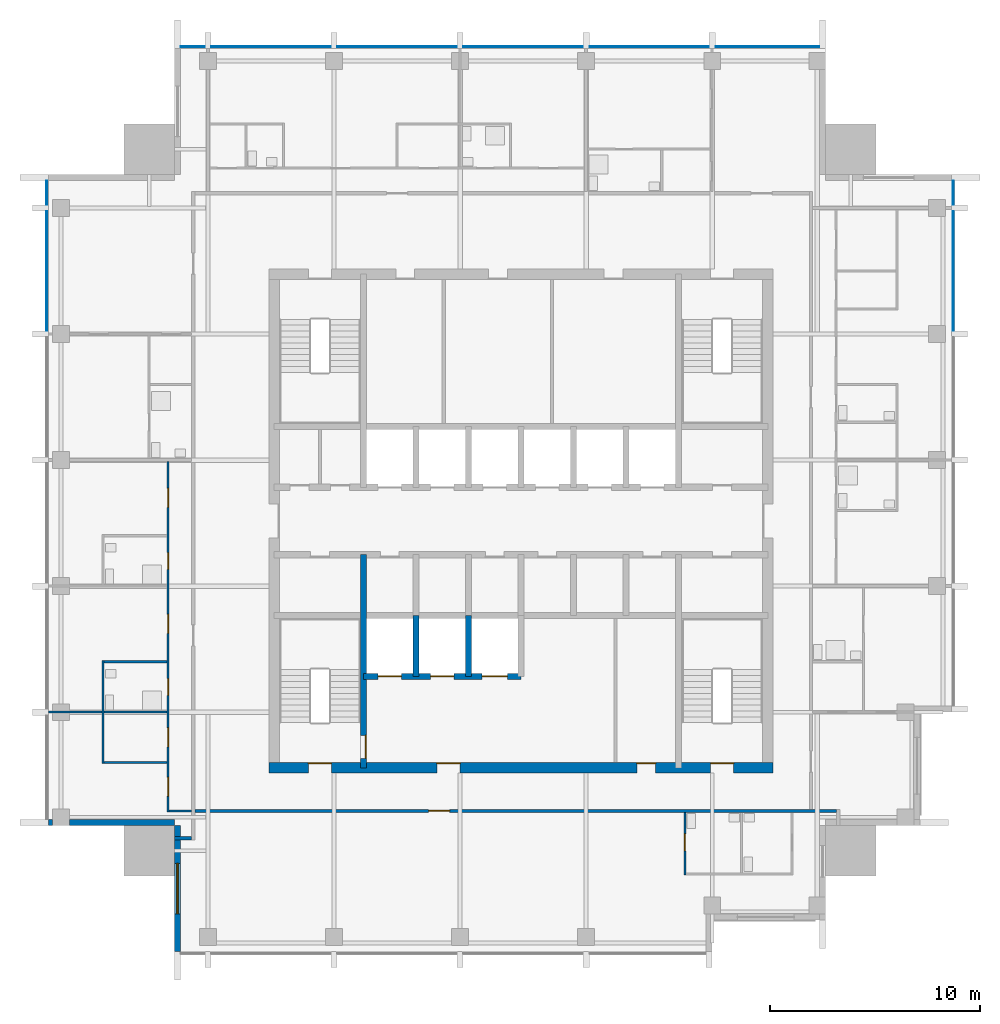
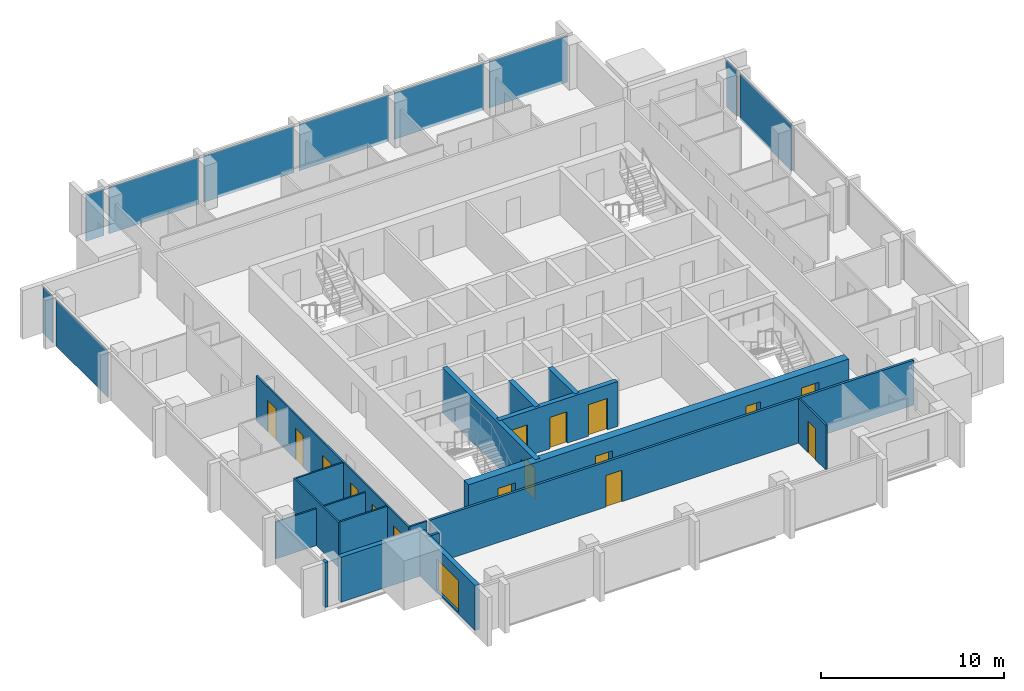
# One storey, part 3 of 9: 17 walls, 16 doors, 10 plates, 1 window, 17 openings, 3 elements without a shape of their own.
"""IFC4 building model written with IfcOpenShell, lengths in metres."""

from ifc_helpers import new_model, si_unit, direction, frame, frame_2d, origin, origin_2d, place, context, subcontext, project, spatial, rectangle, extrude, material, layer, layer_set, type_object, element, fill, aggregate, save


model = new_model("IFC4")

# Units and contexts
model_context = context("Model", 3, precision=1e-05, world=origin(), true_north=direction((0.0, 1.0)))
body_context = subcontext(model_context, "Body", "Model", "MODEL_VIEW")
ifc_project = project(units=[si_unit("LENGTHUNIT", "METRE"), si_unit("AREAUNIT", "SQUARE_METRE"), si_unit("VOLUMEUNIT", "CUBIC_METRE"), si_unit("PLANEANGLEUNIT", "RADIAN"), si_unit("MASSUNIT", "GRAM", prefix="KILO")], contexts=[model_context])

# Site, building, storey
site_placement = place(None, origin())
site = spatial("IfcSite", under=ifc_project, at=site_placement, CompositionType="ELEMENT")
building_placement = place(site_placement, origin())
building = spatial("IfcBuilding", under=site, at=building_placement, Name="Amberfall Residences", CompositionType="ELEMENT")
storey_placement = place(building_placement, frame((0.0, 0.0, 278.5)))
storey = spatial("IfcBuildingStorey", under=building, at=storey_placement, Name="L75", CompositionType="ELEMENT", Elevation=278.5)

# Curtain wall, plates
ifc_material_1 = material(Name="Bronze anodised aluminium and glass", Category="aluminium")
curtain_wall_type = type_object("IfcCurtainWallType", Name="Curtain wall CW1 tower unit", PredefinedType="USERDEFINED", material=ifc_material_1)
curtain_wall_1_placement = place(storey_placement, origin())
curtain_wall_1 = element("IfcCurtainWall", 1, at=curtain_wall_1_placement, inside=storey, type_object=curtain_wall_type, Name="Curtain wall L75 E E3", ObjectType="UNITISED CURTAIN WALL", PredefinedType="USERDEFINED")
ifc_material_2 = material(Name="Tinted double glazed unit", Category="glass")
ifc_layer_1 = layer(ifc_material_2, 0.035888671875)
ifc_layer_set_1 = layer_set([ifc_layer_1], Name="CW1 panel 36 glazing")
plate_type = type_object("IfcPlateType", Name="CW1 panel 36 glazing", PredefinedType="CURTAIN_PANEL", material=ifc_layer_set_1)
plate_1_placement = place(storey_placement, frame((95.074951171875, 57.39990234375, -0.25), z_axis=(0.0, 0.0, 1.0), x_axis=(0.0, 1.0, 0.0)))
plate_1 = element("IfcPlate", 2, at=plate_1_placement, type_object=plate_type, Name="CW1 panel 4.1", PredefinedType="CURTAIN_PANEL", context=body_context, shape_type="SweptSolid", body=[
    extrude(rectangle(XDim=5.676025390625, YDim=0.035888671875, at=origin_2d()), origin(), (0.0, 0.0, 1.0), 3.10009765625),
])
plate_2_placement = place(storey_placement, frame((95.074951171875, 61.125, -0.25), z_axis=(0.0, 0.0, 1.0), x_axis=(0.0, 1.0, 0.0)))
plate_2 = element("IfcPlate", 3, at=plate_2_placement, type_object=plate_type, Name="CW1 panel 5.1", PredefinedType="CURTAIN_PANEL", context=body_context, shape_type="SweptSolid", body=[
    extrude(rectangle(XDim=1.1259765625, YDim=0.035888671875, at=origin_2d()), origin(), (0.0, 0.0, 1.0), 3.10009765625),
])
aggregate(curtain_wall_1, [plate_1, plate_2])

curtain_wall_2_placement = place(storey_placement, origin())
curtain_wall_2 = element("IfcCurtainWall", 4, at=curtain_wall_2_placement, inside=storey, type_object=curtain_wall_type, Name="Curtain wall L75 N N1", ObjectType="UNITISED CURTAIN WALL", PredefinedType="USERDEFINED")
plate_3_placement = place(storey_placement, frame((86.22509765625, 68.074951171875, -0.25), z_axis=(0.0, 0.0, 1.0), x_axis=(-1.0, 0.0, 0.0)))
plate_3 = element("IfcPlate", 5, at=plate_3_placement, type_object=plate_type, Name="CW1 panel 1.1", PredefinedType="CURTAIN_PANEL", context=body_context, shape_type="SweptSolid", body=[
    extrude(rectangle(XDim=4.926025390625, YDim=0.035888671875, at=origin_2d()), origin(), (0.0, 0.0, 1.0), 3.10009765625),
])
plate_4_placement = place(storey_placement, frame((80.60009765625, 68.074951171875, -0.25), z_axis=(0.0, 0.0, 1.0), x_axis=(-1.0, 0.0, 0.0)))
plate_4 = element("IfcPlate", 6, at=plate_4_placement, type_object=plate_type, Name="CW1 panel 2.1", PredefinedType="CURTAIN_PANEL", context=body_context, shape_type="SweptSolid", body=[
    extrude(rectangle(XDim=5.676025390625, YDim=0.035888671875, at=origin_2d()), origin(), (0.0, 0.0, 1.0), 3.10009765625),
])
plate_5_placement = place(storey_placement, frame((74.60009765625, 68.074951171875, -0.25), z_axis=(0.0, 0.0, 1.0), x_axis=(-1.0, 0.0, 0.0)))
plate_5 = element("IfcPlate", 7, at=plate_5_placement, type_object=plate_type, Name="CW1 panel 3.1", PredefinedType="CURTAIN_PANEL", context=body_context, shape_type="SweptSolid", body=[
    extrude(rectangle(XDim=5.676025390625, YDim=0.035888671875, at=origin_2d()), origin(), (0.0, 0.0, 1.0), 3.10009765625),
])
plate_6_placement = place(storey_placement, frame((68.60009765625, 68.074951171875, -0.25), z_axis=(0.0, 0.0, 1.0), x_axis=(-1.0, 0.0, 0.0)))
plate_6 = element("IfcPlate", 8, at=plate_6_placement, type_object=plate_type, Name="CW1 panel 4.1", PredefinedType="CURTAIN_PANEL", context=body_context, shape_type="SweptSolid", body=[
    extrude(rectangle(XDim=5.676025390625, YDim=0.035888671875, at=origin_2d()), origin(), (0.0, 0.0, 1.0), 3.10009765625),
])
plate_7_placement = place(storey_placement, frame((62.60009765625, 68.074951171875, -0.25), z_axis=(0.0, 0.0, 1.0), x_axis=(-1.0, 0.0, 0.0)))
plate_7 = element("IfcPlate", 9, at=plate_7_placement, type_object=plate_type, Name="CW1 panel 5.1", PredefinedType="CURTAIN_PANEL", context=body_context, shape_type="SweptSolid", body=[
    extrude(rectangle(XDim=5.676025390625, YDim=0.035888671875, at=origin_2d()), origin(), (0.0, 0.0, 1.0), 3.10009765625),
])
plate_8_placement = place(storey_placement, frame((58.875, 68.074951171875, -0.25), z_axis=(0.0, 0.0, 1.0), x_axis=(-1.0, 0.0, 0.0)))
plate_8 = element("IfcPlate", 10, at=plate_8_placement, type_object=plate_type, Name="CW1 panel 6.1", PredefinedType="CURTAIN_PANEL", context=body_context, shape_type="SweptSolid", body=[
    extrude(rectangle(XDim=1.1259765625, YDim=0.035888671875, at=origin_2d()), origin(), (0.0, 0.0, 1.0), 3.10009765625),
])
aggregate(curtain_wall_2, [plate_3, plate_4, plate_5, plate_6, plate_7, plate_8])

curtain_wall_3_placement = place(storey_placement, origin())
curtain_wall_3 = element("IfcCurtainWall", 11, at=curtain_wall_3_placement, inside=storey, type_object=curtain_wall_type, Name="Curtain wall L75 W W1", ObjectType="UNITISED CURTAIN WALL", PredefinedType="USERDEFINED")
plate_9_placement = place(storey_placement, frame((51.925048828125, 61.125, -0.25), z_axis=(0.0, 0.0, 1.0), x_axis=(0.0, -1.0, 0.0)))
plate_9 = element("IfcPlate", 12, at=plate_9_placement, type_object=plate_type, Name="CW1 panel 1.1", PredefinedType="CURTAIN_PANEL", context=body_context, shape_type="SweptSolid", body=[
    extrude(rectangle(XDim=1.1259765625, YDim=0.035888671875, at=origin_2d()), origin(), (0.0, 0.0, 1.0), 3.10009765625),
])
plate_10_placement = place(storey_placement, frame((51.925048828125, 57.39990234375, -0.25), z_axis=(0.0, 0.0, 1.0), x_axis=(0.0, -1.0, 0.0)))
plate_10 = element("IfcPlate", 13, at=plate_10_placement, type_object=plate_type, Name="CW1 panel 2.1", PredefinedType="CURTAIN_PANEL", context=body_context, shape_type="SweptSolid", body=[
    extrude(rectangle(XDim=5.676025390625, YDim=0.035888671875, at=origin_2d()), origin(), (0.0, 0.0, 1.0), 3.10009765625),
])
aggregate(curtain_wall_3, [plate_9, plate_10])

# Walls
ifc_material_3 = material(Name="Pale stone cladding on insulated backing", Category="masonry")
ifc_layer_2 = layer(ifc_material_3, 0.300048828125)
ifc_layer_set_2 = layer_set([ifc_layer_2], Name="Bronze clad wall 300")
wall_type_1 = type_object("IfcWallType", Name="Bronze clad wall 300", PredefinedType="SOLIDWALL", material=ifc_layer_set_2)
wall_1_placement = place(storey_placement, frame((52.0, 31.14990234375, 0.0), z_axis=(0.0, 0.0, 1.0), x_axis=(1.0, 0.0, 0.0)))
element("IfcWall", 14, at=wall_1_placement, inside=storey, type_object=wall_type_1, Name="External wall L75 SW", PredefinedType="SOLIDWALL", context=body_context, shape_type="SweptSolid", body=[
    extrude(rectangle(XDim=0.199951171875, YDim=0.300048828125, at=frame_2d((0.10009765625, 0.0))), origin(), (0.0, 0.0, 1.0), 3.0),
])
wall_2_placement = place(storey_placement, frame((53.0, 31.14990234375, 0.0), z_axis=(0.0, 0.0, 1.0), x_axis=(1.0, 0.0, 0.0)))
element("IfcWall", 15, at=wall_2_placement, inside=storey, type_object=wall_type_1, Name="External wall L75 SW", PredefinedType="SOLIDWALL", context=body_context, shape_type="SweptSolid", body=[
    extrude(rectangle(XDim=5.0, YDim=0.300048828125, at=frame_2d((2.5, 0.0))), origin(), (0.0, 0.0, 1.0), 3.0),
])

# Wall, opening, window
wall_3_placement = place(storey_placement, frame((58.14990234375, 31.0, 0.0), z_axis=(0.0, 0.0, 1.0), x_axis=(0.0, -1.0, 0.0)))
wall_3 = element("IfcWall", 16, at=wall_3_placement, inside=storey, type_object=wall_type_1, Name="External wall L75 SW", PredefinedType="SOLIDWALL", context=body_context, shape_type="SweptSolid", body=[
    extrude(rectangle(XDim=6.0, YDim=0.300048828125, at=frame_2d((3.0, 0.0))), origin(), (0.0, 0.0, 1.0), 3.0),
])
opening_1_placement = place(wall_3_placement, frame((1.800048828125, 0.0, 0.14990234375)))
opening_1 = element("IfcOpeningElement", 17, at=opening_1_placement, cuts=wall_3, Name="Opening WN5", PredefinedType="OPENING", context=body_context, shape_type="SweptSolid", body=[
    extrude(rectangle(XDim=2.39990234375, YDim=2.10009765625, at=frame_2d((1.199951171875, 1.050048828125))), frame((0.0, 0.159912109375, 0.0), z_axis=(0.0, -1.0, 0.0), x_axis=(1.0, 0.0, 0.0)), (0.0, 0.0, 1.0), 0.320068359375),
])
ifc_material_4 = material(Name="Bronze aluminium framed glazing", Category="aluminium")
window_type = type_object("IfcWindowType", Name="Glazed opening 2400 x 2100 bronze", PartitioningType="DOUBLE_PANEL_VERTICAL", PredefinedType="WINDOW", material=ifc_material_4)
window_placement = place(opening_1_placement, origin())
window = element("IfcWindow", 18, at=window_placement, inside=storey, type_object=window_type, Name="Window L75 SW", OverallHeight=2.10009765625, OverallWidth=2.39990234375, PartitioningType="DOUBLE_PANEL_VERTICAL", PredefinedType="WINDOW", context=body_context, shape_type="SweptSolid", body=[
    extrude(rectangle(XDim=2.39990234375, YDim=2.10009765625, at=frame_2d((1.199951171875, 1.050048828125))), frame((0.0, 0.030029296875, 0.0), z_axis=(0.0, -1.0, 0.0), x_axis=(1.0, 0.0, 0.0)), (0.0, 0.0, 1.0), 0.06005859375),
])
fill(opening_1, window)

# Wall, opening, door
ifc_material_5 = material(Name="Concrete C50", Category="concrete")
ifc_layer_3 = layer(ifc_material_5, 0.300048828125)
ifc_layer_set_3 = layer_set([ifc_layer_3], Name="Core wall 300 C50")
wall_type_2 = type_object("IfcWallType", Name="Core wall 300 C50", PredefinedType="SHEAR", material=ifc_layer_set_3)
wall_4_placement = place(storey_placement, frame((67.0, 33.75, 0.0), z_axis=(0.0, 0.0, 1.0), x_axis=(0.0, 1.0, 0.0)))
wall_4 = element("IfcWall", 19, at=wall_4_placement, inside=storey, type_object=wall_type_2, Name="Core wall RW10 L75 V45S", PredefinedType="SHEAR", context=body_context, shape_type="SweptSolid", body=[
    extrude(rectangle(XDim=10.14990234375, YDim=0.300048828125, at=frame_2d((5.074951171875, 0.0))), origin(), (0.0, 0.0, 1.0), 3.0),
])
opening_2_placement = place(wall_4_placement, frame((0.449951171875, 0.0, 0.0)))
opening_2 = element("IfcOpeningElement", 20, at=opening_2_placement, cuts=wall_4, Name="Opening FL1", PredefinedType="OPENING", context=body_context, shape_type="SweptSolid", body=[
    extrude(rectangle(XDim=1.10009765625, YDim=2.10009765625, at=frame_2d((0.550048828125, 1.050048828125))), frame((0.0, 0.159912109375, 0.0), z_axis=(0.0, -1.0, 0.0), x_axis=(1.0, 0.0, 0.0)), (0.0, 0.0, 1.0), 0.320068359375),
])
ifc_material_6 = material(Name="Steel fire door set", Category="steel")
door_type_1 = type_object("IfcDoorType", Name="Firefighting lobby door 1100 x 2100", OperationType="SINGLE_SWING_LEFT", PredefinedType="DOOR", material=ifc_material_6)
door_1_placement = place(opening_2_placement, origin())
door_1 = element("IfcDoor", 21, at=door_1_placement, inside=storey, type_object=door_type_1, Name="FL1 L75", OperationType="SINGLE_SWING_RIGHT", OverallHeight=2.10009765625, OverallWidth=1.10009765625, PredefinedType="DOOR", context=body_context, shape_type="SweptSolid", body=[
    extrude(rectangle(XDim=1.10009765625, YDim=2.10009765625, at=frame_2d((0.550048828125, 1.050048828125))), frame((0.0, -0.08740234375, 0.0), z_axis=(0.0, -1.0, 0.0), x_axis=(1.0, 0.0, 0.0)), (0.0, 0.0, 1.0), 0.050048828125),
])
fill(opening_2, door_1)

# Wall, openings, doors
wall_5_placement = place(storey_placement, frame((67.0, 38.10009765625, 0.0), z_axis=(0.0, 0.0, 1.0), x_axis=(1.0, 0.0, 0.0)))
wall_5 = element("IfcWall", 22, at=wall_5_placement, inside=storey, type_object=wall_type_2, Name="Core wall RW10 L75 FFF", PredefinedType="SHEAR", context=body_context, shape_type="SweptSolid", body=[
    extrude(rectangle(XDim=7.5, YDim=0.300048828125, at=frame_2d((3.75, 0.0))), origin(), (0.0, 0.0, 1.0), 3.0),
])
opening_3_placement = place(wall_5_placement, frame((0.699951171875, 0.0, 0.0)))
opening_3 = element("IfcOpeningElement", 23, at=opening_3_placement, cuts=wall_5, Name="Opening LD2", PredefinedType="OPENING", context=body_context, shape_type="SweptSolid", body=[
    extrude(rectangle(XDim=1.10009765625, YDim=2.10009765625, at=frame_2d((0.550048828125, 1.050048828125))), frame((0.0, 0.159912109375, 0.0), z_axis=(0.0, -1.0, 0.0), x_axis=(1.0, 0.0, 0.0)), (0.0, 0.0, 1.0), 0.320068359375),
])
opening_4_placement = place(wall_5_placement, frame((3.199951171875, 0.0, 0.0)))
opening_4 = element("IfcOpeningElement", 24, at=opening_4_placement, cuts=wall_5, Name="Opening LD2", PredefinedType="OPENING", context=body_context, shape_type="SweptSolid", body=[
    extrude(rectangle(XDim=1.10009765625, YDim=2.10009765625, at=frame_2d((0.550048828125, 1.050048828125))), frame((0.0, 0.159912109375, 0.0), z_axis=(0.0, -1.0, 0.0), x_axis=(1.0, 0.0, 0.0)), (0.0, 0.0, 1.0), 0.320068359375),
])
opening_5_placement = place(wall_5_placement, frame((5.64990234375, 0.0, 0.0)))
opening_5 = element("IfcOpeningElement", 25, at=opening_5_placement, cuts=wall_5, Name="Opening LD3", PredefinedType="OPENING", context=body_context, shape_type="SweptSolid", body=[
    extrude(rectangle(XDim=1.199951171875, YDim=2.10009765625, at=frame_2d((0.60009765625, 1.050048828125))), frame((0.0, 0.159912109375, 0.0), z_axis=(0.0, -1.0, 0.0), x_axis=(1.0, 0.0, 0.0)), (0.0, 0.0, 1.0), 0.320068359375),
])
door_type_2 = type_object("IfcDoorType", Name="Firefighting lift landing door 1100 x 2100", OperationType="DOUBLE_DOOR_SLIDING", PredefinedType="DOOR", material=ifc_material_6)
door_2_placement = place(opening_3_placement, origin())
door_2 = element("IfcDoor", 26, at=door_2_placement, inside=storey, type_object=door_type_2, Name="Landing door FF1 L75", OperationType="DOUBLE_DOOR_SLIDING", OverallHeight=2.10009765625, OverallWidth=1.10009765625, PredefinedType="DOOR", context=body_context, shape_type="SweptSolid", body=[
    extrude(rectangle(XDim=1.10009765625, YDim=2.10009765625, at=frame_2d((0.550048828125, 1.050048828125))), frame((0.0, 0.02490234375, 0.0), z_axis=(0.0, -1.0, 0.0), x_axis=(1.0, 0.0, 0.0)), (0.0, 0.0, 1.0), 0.050048828125),
])
fill(opening_3, door_2)
door_3_placement = place(opening_4_placement, origin())
door_3 = element("IfcDoor", 27, at=door_3_placement, inside=storey, type_object=door_type_2, Name="Landing door FF2 L75", OperationType="DOUBLE_DOOR_SLIDING", OverallHeight=2.10009765625, OverallWidth=1.10009765625, PredefinedType="DOOR", context=body_context, shape_type="SweptSolid", body=[
    extrude(rectangle(XDim=1.10009765625, YDim=2.10009765625, at=frame_2d((0.550048828125, 1.050048828125))), frame((0.0, 0.02490234375, 0.0), z_axis=(0.0, -1.0, 0.0), x_axis=(1.0, 0.0, 0.0)), (0.0, 0.0, 1.0), 0.050048828125),
])
fill(opening_4, door_3)
door_type_3 = type_object("IfcDoorType", Name="Service lift landing door 1200 x 2100", OperationType="DOUBLE_DOOR_SLIDING", PredefinedType="DOOR", material=ifc_material_6)
door_4_placement = place(opening_5_placement, origin())
door_4 = element("IfcDoor", 28, at=door_4_placement, inside=storey, type_object=door_type_3, Name="Landing door SL1 L75", OperationType="DOUBLE_DOOR_SLIDING", OverallHeight=2.10009765625, OverallWidth=1.199951171875, PredefinedType="DOOR", context=body_context, shape_type="SweptSolid", body=[
    extrude(rectangle(XDim=1.199951171875, YDim=2.10009765625, at=frame_2d((0.60009765625, 1.050048828125))), frame((0.0, 0.02490234375, 0.0), z_axis=(0.0, -1.0, 0.0), x_axis=(1.0, 0.0, 0.0)), (0.0, 0.0, 1.0), 0.050048828125),
])
fill(opening_5, door_4)

# Walls
for number, where, z_axis, x_axis, name in (
    (29, (69.5, 38.10009765625, 0.0), (0.0, 0.0, 1.0), (0.0, 1.0, 0.0), "Core wall RW10 L75 FFD1"),
    (30, (72.0, 38.10009765625, 0.0), (0.0, 0.0, 1.0), (0.0, 1.0, 0.0), "Core wall RW10 L75 FFD2"),
):
    element("IfcWall", number, at=place(storey_placement, frame(where, z_axis=z_axis, x_axis=x_axis)), inside=storey, type_object=wall_type_2, Name=name, PredefinedType="SHEAR", context=body_context, shape_type="SweptSolid", body=[
        extrude(rectangle(XDim=2.89990234375, YDim=0.300048828125, at=frame_2d((1.449951171875, 0.0))), origin(), (0.0, 0.0, 1.0), 3.0),
    ])

# Wall, openings, doors
ifc_layer_4 = layer(ifc_material_5, 0.5)
ifc_layer_set_4 = layer_set([ifc_layer_4], Name="Core wall 500 C50")
wall_type_3 = type_object("IfcWallType", Name="Core wall 500 C50", PredefinedType="SHEAR", material=ifc_layer_set_4)
wall_6_placement = place(storey_placement, frame((62.5, 33.75, 0.0), z_axis=(0.0, 0.0, 1.0), x_axis=(1.0, 0.0, 0.0)))
wall_6 = element("IfcWall", 31, at=wall_6_placement, inside=storey, type_object=wall_type_3, Name="Core wall RW9 L75 OS", PredefinedType="SHEAR", context=body_context, shape_type="SweptSolid", body=[
    extrude(rectangle(XDim=24.0, YDim=0.5, at=frame_2d((12.0, 0.0))), origin(), (0.0, 0.0, 1.0), 3.0),
])
opening_6_placement = place(wall_6_placement, frame((1.875, 0.0, 0.0)))
opening_6 = element("IfcOpeningElement", 32, at=opening_6_placement, cuts=wall_6, Name="Opening SD1", PredefinedType="OPENING", context=body_context, shape_type="SweptSolid", body=[
    extrude(rectangle(XDim=1.10009765625, YDim=2.10009765625, at=frame_2d((0.550048828125, 1.050048828125))), frame((0.0, 0.260009765625, 0.0), z_axis=(0.0, -1.0, 0.0), x_axis=(1.0, 0.0, 0.0)), (0.0, 0.0, 1.0), 0.52001953125),
])
opening_7_placement = place(wall_6_placement, frame((21.02490234375, 0.0, 0.0)))
opening_7 = element("IfcOpeningElement", 33, at=opening_7_placement, cuts=wall_6, Name="Opening SD1", PredefinedType="OPENING", context=body_context, shape_type="SweptSolid", body=[
    extrude(rectangle(XDim=1.10009765625, YDim=2.10009765625, at=frame_2d((0.550048828125, 1.050048828125))), frame((0.0, 0.260009765625, 0.0), z_axis=(0.0, -1.0, 0.0), x_axis=(1.0, 0.0, 0.0)), (0.0, 0.0, 1.0), 0.52001953125),
])
opening_8_placement = place(wall_6_placement, frame((8.0, 0.0, 0.0)))
opening_8 = element("IfcOpeningElement", 34, at=opening_8_placement, cuts=wall_6, Name="Opening FL1", PredefinedType="OPENING", context=body_context, shape_type="SweptSolid", body=[
    extrude(rectangle(XDim=1.10009765625, YDim=2.10009765625, at=frame_2d((0.550048828125, 1.050048828125))), frame((0.0, 0.260009765625, 0.0), z_axis=(0.0, -1.0, 0.0), x_axis=(1.0, 0.0, 0.0)), (0.0, 0.0, 1.0), 0.52001953125),
])
opening_9_placement = place(wall_6_placement, frame((17.512451171875, 0.0, 0.0)))
opening_9 = element("IfcOpeningElement", 35, at=opening_9_placement, cuts=wall_6, Name="Opening RD1", PredefinedType="OPENING", context=body_context, shape_type="SweptSolid", body=[
    extrude(rectangle(XDim=0.89990234375, YDim=2.10009765625, at=frame_2d((0.449951171875, 1.050048828125))), frame((0.0, 0.260009765625, 0.0), z_axis=(0.0, -1.0, 0.0), x_axis=(1.0, 0.0, 0.0)), (0.0, 0.0, 1.0), 0.52001953125),
])
door_5_placement = place(opening_8_placement, origin())
door_5 = element("IfcDoor", 36, at=door_5_placement, inside=storey, type_object=door_type_1, Name="FL1 L75", OperationType="SINGLE_SWING_LEFT", OverallHeight=2.10009765625, OverallWidth=1.10009765625, PredefinedType="DOOR", context=body_context, shape_type="SweptSolid", body=[
    extrude(rectangle(XDim=1.10009765625, YDim=2.10009765625, at=frame_2d((0.550048828125, 1.050048828125))), frame((0.0, 0.2373046875, 0.0), z_axis=(0.0, -1.0, 0.0), x_axis=(1.0, 0.0, 0.0)), (0.0, 0.0, 1.0), 0.050048828125),
])
fill(opening_8, door_5)
door_type_4 = type_object("IfcDoorType", Name="Service room door 900 x 2100", OperationType="SINGLE_SWING_LEFT", PredefinedType="DOOR", material=ifc_material_6)
door_6_placement = place(opening_9_placement, origin())
door_6 = element("IfcDoor", 37, at=door_6_placement, inside=storey, type_object=door_type_4, Name="RD1 L75", OperationType="SINGLE_SWING_LEFT", OverallHeight=2.10009765625, OverallWidth=0.89990234375, PredefinedType="DOOR", context=body_context, shape_type="SweptSolid", body=[
    extrude(rectangle(XDim=0.89990234375, YDim=2.10009765625, at=frame_2d((0.449951171875, 1.050048828125))), frame((0.0, 0.2373046875, 0.0), z_axis=(0.0, -1.0, 0.0), x_axis=(1.0, 0.0, 0.0)), (0.0, 0.0, 1.0), 0.050048828125),
])
fill(opening_9, door_6)
door_type_5 = type_object("IfcDoorType", Name="Stair door 1100 x 2100", OperationType="SINGLE_SWING_LEFT", PredefinedType="DOOR", material=ifc_material_6)
door_7_placement = place(opening_6_placement, origin())
door_7 = element("IfcDoor", 38, at=door_7_placement, inside=storey, type_object=door_type_5, Name="SD1 L75", OperationType="SINGLE_SWING_LEFT", OverallHeight=2.10009765625, OverallWidth=1.10009765625, PredefinedType="DOOR", context=body_context, shape_type="SweptSolid", body=[
    extrude(rectangle(XDim=1.10009765625, YDim=2.10009765625, at=frame_2d((0.550048828125, 1.050048828125))), frame((0.0, 0.2373046875, 0.0), z_axis=(0.0, -1.0, 0.0), x_axis=(1.0, 0.0, 0.0)), (0.0, 0.0, 1.0), 0.050048828125),
])
fill(opening_6, door_7)
door_8_placement = place(opening_7_placement, origin())
door_8 = element("IfcDoor", 39, at=door_8_placement, inside=storey, type_object=door_type_5, Name="SD1 L75", OperationType="SINGLE_SWING_RIGHT", OverallHeight=2.10009765625, OverallWidth=1.10009765625, PredefinedType="DOOR", context=body_context, shape_type="SweptSolid", body=[
    extrude(rectangle(XDim=1.10009765625, YDim=2.10009765625, at=frame_2d((0.550048828125, 1.050048828125))), frame((0.0, 0.2373046875, 0.0), z_axis=(0.0, -1.0, 0.0), x_axis=(1.0, 0.0, 0.0)), (0.0, 0.0, 1.0), 0.050048828125),
])
fill(opening_7, door_8)

# Wall
ifc_material_7 = material(Name="Gypsum board on metal stud")
ifc_layer_5 = layer(ifc_material_7, 0.10009765625)
ifc_layer_set_5 = layer_set([ifc_layer_5], Name="Flat partition 100")
wall_type_4 = type_object("IfcWallType", Name="Flat partition 100", PredefinedType="PARTITIONING", material=ifc_layer_set_5)
wall_7_placement = place(storey_placement, frame((54.60009765625, 33.949951171875, 0.0), z_axis=(0.0, 0.0, 1.0), x_axis=(0.0, 1.0, 0.0)))
element("IfcWall", 40, at=wall_7_placement, inside=storey, type_object=wall_type_4, Name="Partition 001", PredefinedType="PARTITIONING", context=body_context, shape_type="SweptSolid", body=[
    extrude(rectangle(XDim=4.900146484375, YDim=0.10009765625, at=frame_2d((2.4501953125, 0.0))), origin(), (0.0, 0.0, 1.0), 3.0),
])

# Wall, openings, doors
wall_8_placement = place(storey_placement, frame((57.699951171875, 31.64990234375, 0.0), z_axis=(0.0, 0.0, 1.0), x_axis=(0.0, 1.0, 0.0)))
wall_8 = element("IfcWall", 41, at=wall_8_placement, inside=storey, type_object=wall_type_4, Name="Partition 004", PredefinedType="PARTITIONING", context=body_context, shape_type="SweptSolid", body=[
    extrude(rectangle(XDim=16.675048828125, YDim=0.10009765625, at=frame_2d((8.33740234375, 0.0))), origin(), (0.0, 0.0, 1.0), 3.0),
])
opening_10_placement = place(wall_8_placement, frame((0.75, 0.0, 0.0)))
opening_10 = element("IfcOpeningElement", 42, at=opening_10_placement, cuts=wall_8, Name="Opening D41", PredefinedType="OPENING", context=body_context, shape_type="SweptSolid", body=[
    extrude(rectangle(XDim=0.89990234375, YDim=2.10009765625, at=frame_2d((0.449951171875, 1.050048828125))), frame((0.0, 0.06005859375, 0.0), z_axis=(0.0, -1.0, 0.0), x_axis=(1.0, 0.0, 0.0)), (0.0, 0.0, 1.0), 0.1201171875),
])
opening_11_placement = place(wall_8_placement, frame((3.10009765625, 0.0, 0.0)))
opening_11 = element("IfcOpeningElement", 43, at=opening_11_placement, cuts=wall_8, Name="Opening D41", PredefinedType="OPENING", context=body_context, shape_type="SweptSolid", body=[
    extrude(rectangle(XDim=0.89990234375, YDim=2.10009765625, at=frame_2d((0.449951171875, 1.050048828125))), frame((0.0, 0.06005859375, 0.0), z_axis=(0.0, -1.0, 0.0), x_axis=(1.0, 0.0, 0.0)), (0.0, 0.0, 1.0), 0.1201171875),
])
opening_12_placement = place(wall_8_placement, frame((8.5, 0.0, 0.0)))
opening_12 = element("IfcOpeningElement", 44, at=opening_12_placement, cuts=wall_8, Name="Opening D41", PredefinedType="OPENING", context=body_context, shape_type="SweptSolid", body=[
    extrude(rectangle(XDim=0.89990234375, YDim=2.10009765625, at=frame_2d((0.449951171875, 1.050048828125))), frame((0.0, 0.06005859375, 0.0), z_axis=(0.0, -1.0, 0.0), x_axis=(1.0, 0.0, 0.0)), (0.0, 0.0, 1.0), 0.1201171875),
])
opening_13_placement = place(wall_8_placement, frame((14.5, 0.0, 0.0)))
opening_13 = element("IfcOpeningElement", 45, at=opening_13_placement, cuts=wall_8, Name="Opening D41", PredefinedType="OPENING", context=body_context, shape_type="SweptSolid", body=[
    extrude(rectangle(XDim=0.89990234375, YDim=2.10009765625, at=frame_2d((0.449951171875, 1.050048828125))), frame((0.0, 0.06005859375, 0.0), z_axis=(0.0, -1.0, 0.0), x_axis=(1.0, 0.0, 0.0)), (0.0, 0.0, 1.0), 0.1201171875),
])
opening_14_placement = place(wall_8_placement, frame((5.550048828125, 0.0, 0.0)))
opening_14 = element("IfcOpeningElement", 46, at=opening_14_placement, cuts=wall_8, Name="Opening D42", PredefinedType="OPENING", context=body_context, shape_type="SweptSolid", body=[
    extrude(rectangle(XDim=0.800048828125, YDim=2.10009765625, at=frame_2d((0.39990234375, 1.050048828125))), frame((0.0, 0.06005859375, 0.0), z_axis=(0.0, -1.0, 0.0), x_axis=(1.0, 0.0, 0.0)), (0.0, 0.0, 1.0), 0.1201171875),
])
opening_15_placement = place(wall_8_placement, frame((11.550048828125, 0.0, 0.0)))
opening_15 = element("IfcOpeningElement", 47, at=opening_15_placement, cuts=wall_8, Name="Opening D42", PredefinedType="OPENING", context=body_context, shape_type="SweptSolid", body=[
    extrude(rectangle(XDim=0.800048828125, YDim=2.10009765625, at=frame_2d((0.39990234375, 1.050048828125))), frame((0.0, 0.06005859375, 0.0), z_axis=(0.0, -1.0, 0.0), x_axis=(1.0, 0.0, 0.0)), (0.0, 0.0, 1.0), 0.1201171875),
])
ifc_material_8 = material(Name="Timber", Category="wood")
door_type_6 = type_object("IfcDoorType", Name="Bathroom door 800 x 2100", OperationType="SINGLE_SWING_LEFT", PredefinedType="DOOR", material=ifc_material_8)
door_9_placement = place(opening_14_placement, origin())
door_9 = element("IfcDoor", 48, at=door_9_placement, inside=storey, type_object=door_type_6, Name="Door 7505 bath1", OperationType="SINGLE_SWING_LEFT", OverallHeight=2.10009765625, OverallWidth=0.800048828125, PredefinedType="DOOR", context=body_context, shape_type="SweptSolid", body=[
    extrude(rectangle(XDim=0.800048828125, YDim=2.10009765625, at=frame_2d((0.39990234375, 1.050048828125))), frame((0.0, 0.02490234375, 0.0), z_axis=(0.0, -1.0, 0.0), x_axis=(1.0, 0.0, 0.0)), (0.0, 0.0, 1.0), 0.050048828125),
])
fill(opening_14, door_9)
door_10_placement = place(opening_15_placement, origin())
door_10 = element("IfcDoor", 49, at=door_10_placement, inside=storey, type_object=door_type_6, Name="Door 7505 bath2", OperationType="SINGLE_SWING_LEFT", OverallHeight=2.10009765625, OverallWidth=0.800048828125, PredefinedType="DOOR", context=body_context, shape_type="SweptSolid", body=[
    extrude(rectangle(XDim=0.800048828125, YDim=2.10009765625, at=frame_2d((0.39990234375, 1.050048828125))), frame((0.0, 0.02490234375, 0.0), z_axis=(0.0, -1.0, 0.0), x_axis=(1.0, 0.0, 0.0)), (0.0, 0.0, 1.0), 0.050048828125),
])
fill(opening_15, door_10)
door_type_7 = type_object("IfcDoorType", Name="Internal door 900 x 2100", OperationType="SINGLE_SWING_LEFT", PredefinedType="DOOR", material=ifc_material_8)
door_11_placement = place(opening_10_placement, origin())
door_11 = element("IfcDoor", 50, at=door_11_placement, inside=storey, type_object=door_type_7, Name="Door 7505 living", OperationType="SINGLE_SWING_LEFT", OverallHeight=2.10009765625, OverallWidth=0.89990234375, PredefinedType="DOOR", context=body_context, shape_type="SweptSolid", body=[
    extrude(rectangle(XDim=0.89990234375, YDim=2.10009765625, at=frame_2d((0.449951171875, 1.050048828125))), frame((0.0, 0.02490234375, 0.0), z_axis=(0.0, -1.0, 0.0), x_axis=(1.0, 0.0, 0.0)), (0.0, 0.0, 1.0), 0.050048828125),
])
fill(opening_10, door_11)
door_12_placement = place(opening_11_placement, origin())
door_12 = element("IfcDoor", 51, at=door_12_placement, inside=storey, type_object=door_type_7, Name="Door 7505 kitchen", OperationType="SINGLE_SWING_LEFT", OverallHeight=2.10009765625, OverallWidth=0.89990234375, PredefinedType="DOOR", context=body_context, shape_type="SweptSolid", body=[
    extrude(rectangle(XDim=0.89990234375, YDim=2.10009765625, at=frame_2d((0.449951171875, 1.050048828125))), frame((0.0, 0.02490234375, 0.0), z_axis=(0.0, -1.0, 0.0), x_axis=(1.0, 0.0, 0.0)), (0.0, 0.0, 1.0), 0.050048828125),
])
fill(opening_11, door_12)
door_13_placement = place(opening_12_placement, origin())
door_13 = element("IfcDoor", 52, at=door_13_placement, inside=storey, type_object=door_type_7, Name="Door 7505 bedroom1", OperationType="SINGLE_SWING_LEFT", OverallHeight=2.10009765625, OverallWidth=0.89990234375, PredefinedType="DOOR", context=body_context, shape_type="SweptSolid", body=[
    extrude(rectangle(XDim=0.89990234375, YDim=2.10009765625, at=frame_2d((0.449951171875, 1.050048828125))), frame((0.0, 0.02490234375, 0.0), z_axis=(0.0, -1.0, 0.0), x_axis=(1.0, 0.0, 0.0)), (0.0, 0.0, 1.0), 0.050048828125),
])
fill(opening_12, door_13)
door_14_placement = place(opening_13_placement, origin())
door_14 = element("IfcDoor", 53, at=door_14_placement, inside=storey, type_object=door_type_7, Name="Door 7505 bedroom2", OperationType="SINGLE_SWING_LEFT", OverallHeight=2.10009765625, OverallWidth=0.89990234375, PredefinedType="DOOR", context=body_context, shape_type="SweptSolid", body=[
    extrude(rectangle(XDim=0.89990234375, YDim=2.10009765625, at=frame_2d((0.449951171875, 1.050048828125))), frame((0.0, 0.02490234375, 0.0), z_axis=(0.0, -1.0, 0.0), x_axis=(1.0, 0.0, 0.0)), (0.0, 0.0, 1.0), 0.050048828125),
])
fill(opening_13, door_14)

# Wall, opening, door
wall_9_placement = place(storey_placement, frame((82.300048828125, 31.625, 0.0), z_axis=(0.0, 0.0, 1.0), x_axis=(0.0, -1.0, 0.0)))
wall_9 = element("IfcWall", 54, at=wall_9_placement, inside=storey, type_object=wall_type_4, Name="Partition 011", PredefinedType="PARTITIONING", context=body_context, shape_type="SweptSolid", body=[
    extrude(rectangle(XDim=2.97509765625, YDim=0.10009765625, at=frame_2d((1.487548828125, 0.0))), origin(), (0.0, 0.0, 1.0), 3.0),
])
opening_16_placement = place(wall_9_placement, frame((1.02490234375, 0.0, 0.0)))
opening_16 = element("IfcOpeningElement", 55, at=opening_16_placement, cuts=wall_9, Name="Opening D42", PredefinedType="OPENING", context=body_context, shape_type="SweptSolid", body=[
    extrude(rectangle(XDim=0.800048828125, YDim=2.10009765625, at=frame_2d((0.39990234375, 1.050048828125))), frame((0.0, 0.06005859375, 0.0), z_axis=(0.0, -1.0, 0.0), x_axis=(1.0, 0.0, 0.0)), (0.0, 0.0, 1.0), 0.1201171875),
])
door_15_placement = place(opening_16_placement, origin())
door_15 = element("IfcDoor", 56, at=door_15_placement, inside=storey, type_object=door_type_6, Name="Door L75 u00 wc1", OperationType="SINGLE_SWING_LEFT", OverallHeight=2.10009765625, OverallWidth=0.800048828125, PredefinedType="DOOR", context=body_context, shape_type="SweptSolid", body=[
    extrude(rectangle(XDim=0.800048828125, YDim=2.10009765625, at=frame_2d((0.39990234375, 1.050048828125))), frame((0.0, 0.02490234375, 0.0), z_axis=(0.0, -1.0, 0.0), x_axis=(1.0, 0.0, 0.0)), (0.0, 0.0, 1.0), 0.050048828125),
])
fill(opening_16, door_15)

# Walls
wall_10_placement = place(storey_placement, frame((54.64990234375, 38.800048828125, 0.0), z_axis=(0.0, 0.0, 1.0), x_axis=(1.0, 0.0, 0.0)))
element("IfcWall", 57, at=wall_10_placement, inside=storey, type_object=wall_type_4, Name="Partition 033", PredefinedType="PARTITIONING", context=body_context, shape_type="SweptSolid", body=[
    extrude(rectangle(XDim=3.0, YDim=0.10009765625, at=frame_2d((1.5, 0.0))), origin(), (0.0, 0.0, 1.0), 3.0),
])
wall_11_placement = place(storey_placement, frame((52.0, 36.39990234375, 0.0), z_axis=(0.0, 0.0, 1.0), x_axis=(1.0, 0.0, 0.0)))
element("IfcWall", 58, at=wall_11_placement, inside=storey, type_object=wall_type_4, Name="Partition 035", PredefinedType="PARTITIONING", context=body_context, shape_type="SweptSolid", body=[
    extrude(rectangle(XDim=5.64990234375, YDim=0.10009765625, at=frame_2d((2.824951171875, 0.0))), origin(), (0.0, 0.0, 1.0), 2.466064453125),
])
wall_12_placement = place(storey_placement, frame((54.64990234375, 34.0, 0.0), z_axis=(0.0, 0.0, 1.0), x_axis=(1.0, 0.0, 0.0)))
element("IfcWall", 59, at=wall_12_placement, inside=storey, type_object=wall_type_4, Name="Partition 037", PredefinedType="PARTITIONING", context=body_context, shape_type="SweptSolid", body=[
    extrude(rectangle(XDim=3.0, YDim=0.10009765625, at=frame_2d((1.5, 0.0))), origin(), (0.0, 0.0, 1.0), 3.0),
])
wall_13_placement = place(storey_placement, frame((57.75, 31.699951171875, 0.0), z_axis=(0.0, 0.0, 1.0), x_axis=(1.0, 0.0, 0.0)))
element("IfcWall", 60, at=wall_13_placement, inside=storey, type_object=wall_type_4, Name="Partition 038", PredefinedType="PARTITIONING", context=body_context, shape_type="SweptSolid", body=[
    extrude(rectangle(XDim=1.074951171875, YDim=0.10009765625, at=frame_2d((0.53759765625, 0.0))), origin(), (0.0, 0.0, 1.0), 3.0),
])

# Wall, opening, door
ifc_material_9 = material(Name="Blockwork, plastered", Category="masonry")
ifc_layer_6 = layer(ifc_material_9, 0.14990234375)
ifc_layer_set_6 = layer_set([ifc_layer_6], Name="Flat separating wall 150")
wall_type_5 = type_object("IfcWallType", Name="Flat separating wall 150", PredefinedType="PARTITIONING", material=ifc_layer_set_6)
wall_14_placement = place(storey_placement, frame((89.52490234375, 31.699951171875, 0.0), z_axis=(0.0, 0.0, 1.0), x_axis=(-1.0, 0.0, 0.0)))
wall_14 = element("IfcWall", 61, at=wall_14_placement, inside=storey, type_object=wall_type_5, Name="Separating wall 049", PredefinedType="PARTITIONING", context=body_context, shape_type="SweptSolid", body=[
    extrude(rectangle(XDim=30.5498046875, YDim=0.14990234375, at=frame_2d((15.27490234375, 0.0))), origin(), (0.0, 0.0, 1.0), 3.0),
])
opening_17_placement = place(wall_14_placement, frame((18.425048828125, 0.0, 0.0)))
opening_17 = element("IfcOpeningElement", 62, at=opening_17_placement, cuts=wall_14, Name="Opening D40", PredefinedType="OPENING", context=body_context, shape_type="SweptSolid", body=[
    extrude(rectangle(XDim=1.0, YDim=2.10009765625, at=frame_2d((0.5, 1.050048828125))), frame((0.0, 0.0849609375, 0.0), z_axis=(0.0, -1.0, 0.0), x_axis=(1.0, 0.0, 0.0)), (0.0, 0.0, 1.0), 0.169921875),
])
ifc_material_10 = material(Name="Timber, fire-rated", Category="wood")
door_type_8 = type_object("IfcDoorType", Name="Flat entrance door FD60 1000 x 2100", OperationType="SINGLE_SWING_LEFT", PredefinedType="DOOR", material=ifc_material_10)
door_16_placement = place(opening_17_placement, origin())
door_16 = element("IfcDoor", 63, at=door_16_placement, inside=storey, type_object=door_type_8, Name="Door L75 u00 entrance", OperationType="SINGLE_SWING_LEFT", OverallHeight=2.10009765625, OverallWidth=1.0, PredefinedType="DOOR", context=body_context, shape_type="SweptSolid", body=[
    extrude(rectangle(XDim=1.0, YDim=2.10009765625, at=frame_2d((0.5, 1.050048828125))), frame((0.0, 0.02490234375, 0.0), z_axis=(0.0, -1.0, 0.0), x_axis=(1.0, 0.0, 0.0)), (0.0, 0.0, 1.0), 0.050048828125),
])
fill(opening_17, door_16)

# Wall
wall_15_placement = place(storey_placement, frame((58.0, 30.39990234375, 0.0), z_axis=(0.0, 0.0, 1.0), x_axis=(1.0, 0.0, 0.0)))
element("IfcWall", 64, at=wall_15_placement, inside=storey, type_object=wall_type_5, Name="Separating wall 050", PredefinedType="PARTITIONING", context=body_context, shape_type="SweptSolid", body=[
    extrude(rectangle(XDim=0.824951171875, YDim=0.14990234375, at=frame_2d((0.41259765625, 0.0))), origin(), (0.0, 0.0, 1.0), 3.0),
])

save(model, "model.ifc")
